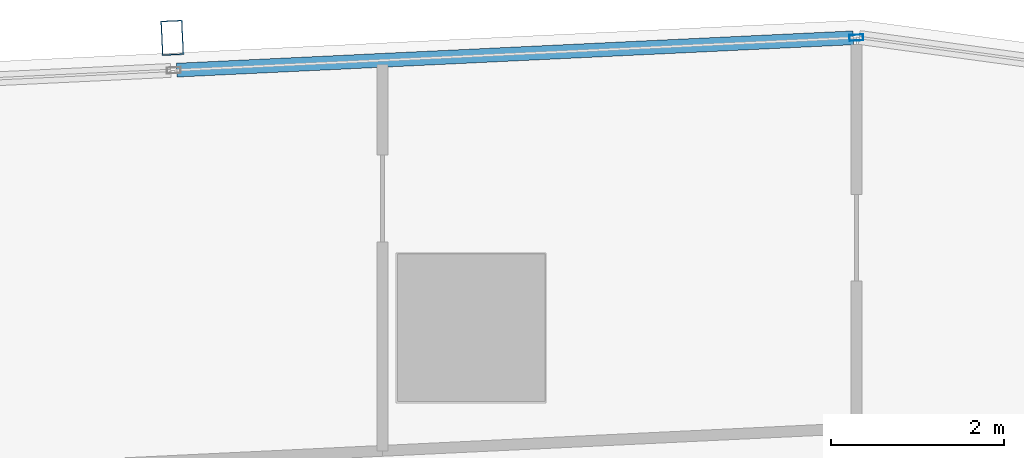
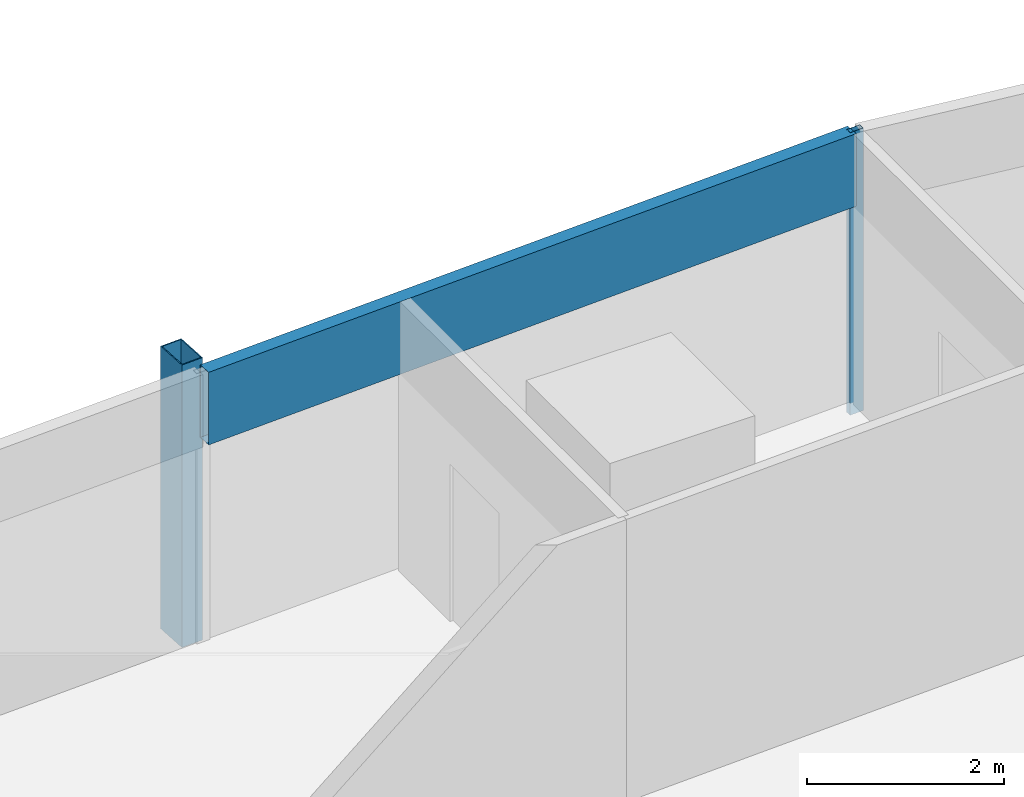
# One storey, part 25 of 39: 3 members, 1 element without a shape of its own.
"""IFC4 building model written with IfcOpenShell, lengths in metres."""

from ifc_helpers import new_model, si_unit, direction, frame, origin, origin_2d, place, context, subcontext, project, spatial, hollow_rectangle, extrude, material, material_profile, profile_set, type_object, element, aggregate, save


model = new_model("IFC4")

# Units and contexts
model_context = context("Model", 3, precision=1e-05, world=origin(), true_north=direction((0.0, 1.0)))
body_context = subcontext(model_context, "Body", "Model", "MODEL_VIEW")
ifc_project = project(units=[si_unit("LENGTHUNIT", "METRE"), si_unit("AREAUNIT", "SQUARE_METRE"), si_unit("VOLUMEUNIT", "CUBIC_METRE"), si_unit("PLANEANGLEUNIT", "RADIAN"), si_unit("MASSUNIT", "GRAM", prefix="KILO")], contexts=[model_context])

# Site, building, storey
site_placement = place(None, origin())
site = spatial("IfcSite", under=ifc_project, at=site_placement, CompositionType="ELEMENT")
building_placement = place(site_placement, origin())
building = spatial("IfcBuilding", under=site, at=building_placement, Name="Rekha Terrace Tower", CompositionType="ELEMENT")
storey_placement = place(building_placement, frame((0.0, 0.0, 180.199951171875)))
storey = spatial("IfcBuildingStorey", under=building, at=storey_placement, Name="L45", CompositionType="ELEMENT", Elevation=180.199951171875)

# Curtain wall, members
ifc_material_1 = material(Name="Aluminium framing", Category="aluminium")
curtain_wall_type = type_object("IfcCurtainWallType", Name="CW3 north unitised glazing", PredefinedType="USERDEFINED", material=ifc_material_1)
curtain_wall_placement = place(storey_placement, origin())
curtain_wall = element("IfcCurtainWall", 1, at=curtain_wall_placement, inside=storey, type_object=curtain_wall_type, Name="CW3 unitised curtain wall", ObjectType="UNITISED CURTAIN WALL", PredefinedType="USERDEFINED")
ifc_material_2 = material(Name="Steel S355 with fluorocarbon finish", Category="steel")
ifc_material_profile_1 = material_profile(ifc_material_2, hollow_rectangle(XDim=0.25, YDim=0.39990234375, WallThickness=0.012451171875, at=origin_2d()), Name="RHS400x250x12.5")
ifc_profile_set_1 = profile_set([ifc_material_profile_1], Name="Steel S355 with fluorocarbon finish")
member_type_1 = type_object("IfcMemberType", Name="BL1 facade blade RHS 400 x 250", PredefinedType="USERDEFINED", material=ifc_profile_set_1)
member_1_placement = place(storey_placement, frame((38.55224609375, 62.145751953125, 0.0), z_axis=(0.0, 0.0, 1.0), x_axis=(-0.998858913274, -0.04775846913, 0.0)))
member_1 = element("IfcMember", 2, at=member_1_placement, type_object=member_type_1, Name="Facade blade", ObjectType="FACADE BLADE", PredefinedType="USERDEFINED", context=body_context, shape_type="SweptSolid", body=[
    extrude(hollow_rectangle(XDim=0.25, YDim=0.39990234375, WallThickness=0.012451171875, at=origin_2d()), origin(), (0.0, 0.0, 1.0), 3.5),
])
ifc_material_3 = material(Name="Aluminium mullion section", Category="aluminium")
ifc_material_profile_2 = material_profile(ifc_material_3, hollow_rectangle(XDim=0.070068359375, YDim=0.159912109375, WallThickness=0.00390625, at=origin_2d()), Name="AL RHS 70x160")
ifc_profile_set_2 = profile_set([ifc_material_profile_2], Name="Aluminium mullion section")
member_type_2 = type_object("IfcMemberType", Name="CW3 mullion RHS 70 x 160", PredefinedType="MULLION", material=ifc_profile_set_2)
member_2_placement = place(storey_placement, frame((46.4443359375, 62.147705078125, 0.0), z_axis=(0.0, 0.0, 1.0), x_axis=(0.047758616983, -0.998858906204, 0.0)))
member_2 = element("IfcMember", 3, at=member_2_placement, type_object=member_type_2, Name="CW3 mullion 1", PredefinedType="MULLION", context=body_context, shape_type="SweptSolid", body=[
    extrude(hollow_rectangle(XDim=0.070068359375, YDim=0.159912109375, WallThickness=0.00390625, at=origin_2d()), origin(), (0.0, 0.0, 1.0), 3.5),
])
ifc_material_4 = material(Name="Insulated aluminium spandrel box", Category="aluminium")
ifc_material_profile_3 = material_profile(ifc_material_4, hollow_rectangle(XDim=0.159912109375, YDim=0.89990234375, WallThickness=0.0029296875, at=origin_2d()), Name="AL SPANDREL BOX 160x900")
ifc_profile_set_3 = profile_set([ifc_material_profile_3], Name="Insulated aluminium spandrel box")
member_type_3 = type_object("IfcMemberType", Name="CW3 spandrel transom 160 x 900", PredefinedType="USERDEFINED", material=ifc_profile_set_3)
member_3_placement = place(storey_placement, frame((46.4091796875, 62.14599609375, 3.050048828125), z_axis=(-0.998859425172, -0.047747761666, 0.0), x_axis=(0.047747761666, -0.998859425172, 0.0)))
member_3 = element("IfcMember", 4, at=member_3_placement, type_object=member_type_3, Name="CW3 spandrel transom 1", ObjectType="TRANSOM", PredefinedType="USERDEFINED", context=body_context, shape_type="SweptSolid", body=[
    extrude(hollow_rectangle(XDim=0.159912109375, YDim=0.89990234375, WallThickness=0.0029296875, at=origin_2d()), origin(), (0.0, 0.0, 1.0), 7.81298828125),
])
aggregate(curtain_wall, [member_2, member_3, member_1])

save(model, "model.ifc")
